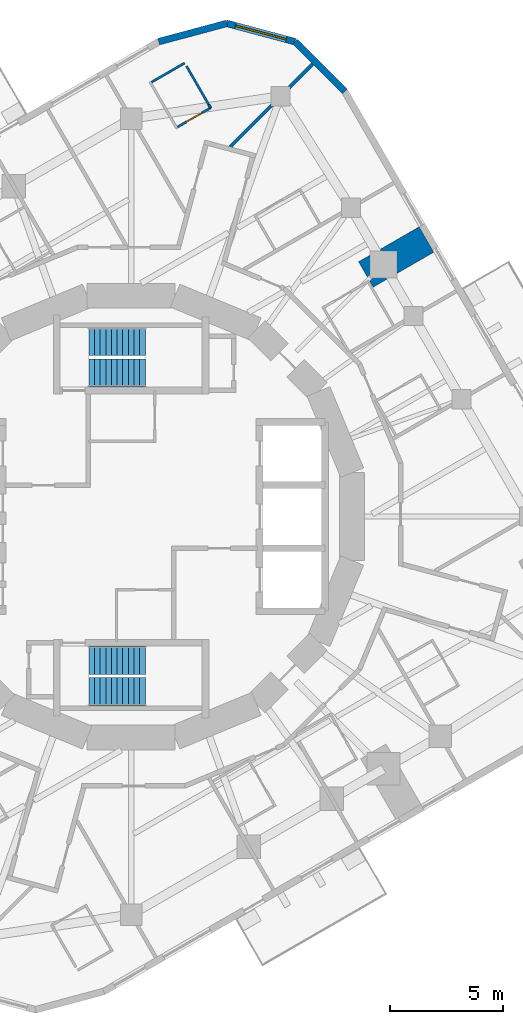
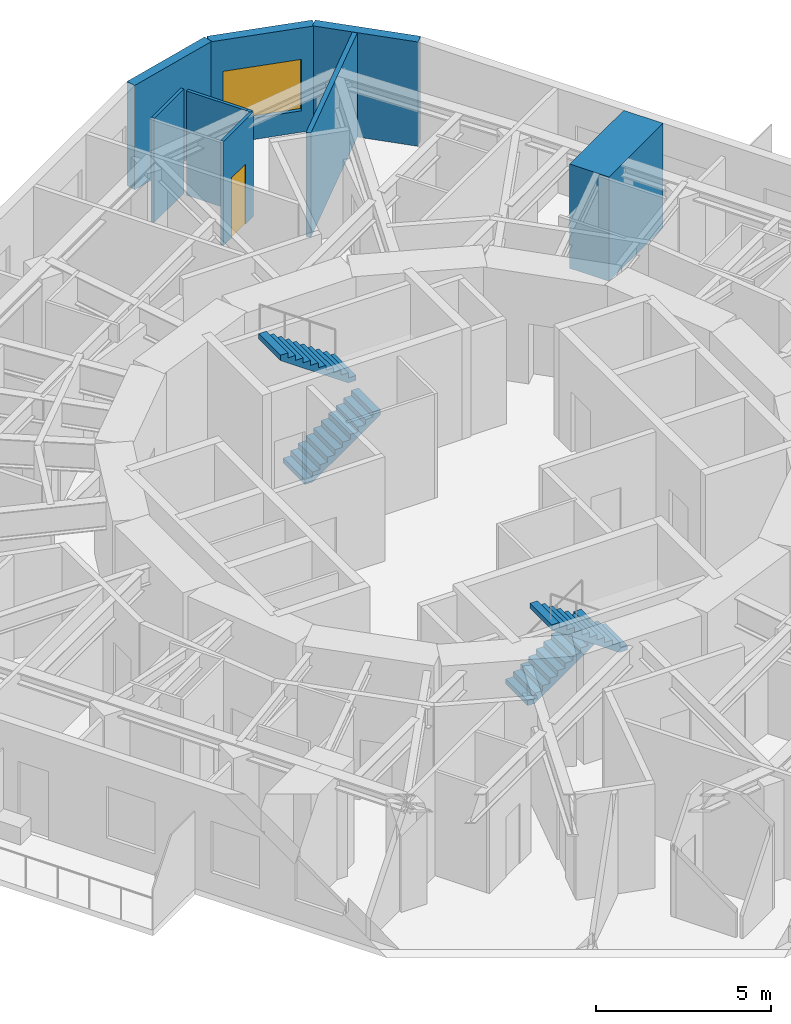
# One storey, part 9 of 11: 9 walls, 4 stair flights, 1 door, 1 window, 2 openings, 2 elements without a shape of their own.
"""IFC4 building model written with IfcOpenShell, lengths in metres."""

from ifc_helpers import new_model, si_unit, direction, frame, frame_2d, origin, place, context, subcontext, project, spatial, polyline, rectangle, outline, extrude, material, layer, layer_set, type_object, element, fill, aggregate, save


model = new_model("IFC4")

# Units and contexts
model_context = context("Model", 3, precision=1e-05, world=origin(), true_north=direction((0.0, 1.0)))
body_context = subcontext(model_context, "Body", "Model", "MODEL_VIEW")
ifc_project = project(units=[si_unit("LENGTHUNIT", "METRE"), si_unit("AREAUNIT", "SQUARE_METRE"), si_unit("VOLUMEUNIT", "CUBIC_METRE"), si_unit("PLANEANGLEUNIT", "RADIAN"), si_unit("MASSUNIT", "GRAM", prefix="KILO")], contexts=[model_context])

# Site, building, storey
site_placement = place(None, origin())
site = spatial("IfcSite", under=ifc_project, at=site_placement, CompositionType="ELEMENT")
building_placement = place(site_placement, origin())
building = spatial("IfcBuilding", under=site, at=building_placement, Name="Nakasero Lantern House", CompositionType="ELEMENT")
storey_placement = place(building_placement, frame((0.0, 0.0, 253.89990234375)))
storey = spatial("IfcBuildingStorey", under=building, at=storey_placement, Name="L62", CompositionType="ELEMENT", Elevation=253.89990234375)

# Walls
ifc_material_1 = material(Name="Blockwork", Category="masonry")
ifc_layer_1 = layer(ifc_material_1, 1.300048828125)
ifc_layer_set_1 = layer_set([ifc_layer_1], Name="Column pier 1300")
wall_type_1 = type_object("IfcWallType", Name="Column pier 1300", PredefinedType="PARTITIONING", material=ifc_layer_set_1)
wall_1_placement = place(storey_placement, frame((10.4208984375, 10.75048828125, 0.0), z_axis=(0.0, 0.0, 1.0), x_axis=(0.866063626216, 0.499933790963, 0.0)))
element("IfcWall", 1, at=wall_1_placement, inside=storey, type_object=wall_type_1, Name="Column pier L62 PN0-05", PredefinedType="PARTITIONING", context=body_context, shape_type="SweptSolid", body=[
    extrude(rectangle(XDim=3.10009765625, YDim=1.300048828125, at=frame_2d((1.550048828125, 0.0))), origin(), (0.0, 0.0, 1.0), 3.650146484375),
])
ifc_material_2 = material(Name="Blockwork", Category="masonry")
ifc_layer_2 = layer(ifc_material_2, 0.10009765625)
ifc_layer_set_2 = layer_set([ifc_layer_2], Name="En-suite wall 100")
wall_type_2 = type_object("IfcWallType", Name="En-suite wall 100", PredefinedType="PARTITIONING", material=ifc_layer_set_2)
wall_2_placement = place(storey_placement, frame((2.37548828125, 20.135498046875, 0.0), z_axis=(0.0, 0.0, 1.0), x_axis=(-0.865989465428, -0.500062241894, 0.0)))
element("IfcWall", 2, at=wall_2_placement, inside=storey, type_object=wall_type_2, Name="En-suite wall L62 EE1-00", PredefinedType="PARTITIONING", context=body_context, shape_type="SweptSolid", body=[
    extrude(rectangle(XDim=1.699951171875, YDim=0.10009765625, at=frame_2d((0.85009765625, 0.0))), origin(), (0.0, 0.0, 1.0), 3.650146484375),
])

# Wall, opening, door
wall_3_placement = place(storey_placement, frame((3.525634765625, 18.1435546875, 0.0), z_axis=(0.0, 0.0, 1.0), x_axis=(-0.866025371046, -0.500000056704, 0.0)))
wall_3 = element("IfcWall", 3, at=wall_3_placement, inside=storey, type_object=wall_type_2, Name="En-suite wall L62 EI1-00", PredefinedType="PARTITIONING", context=body_context, shape_type="SweptSolid", body=[
    extrude(rectangle(XDim=1.7001953125, YDim=0.10009765625, at=frame_2d((0.85009765625, 0.0))), origin(), (0.0, 0.0, 1.0), 3.650146484375),
])
opening_1_placement = place(wall_3_placement, frame((0.449951171875, 0.0, 0.0)))
opening_1 = element("IfcOpeningElement", 4, at=opening_1_placement, cuts=wall_3, Name="Opening D02", PredefinedType="OPENING", context=body_context, shape_type="SweptSolid", body=[
    extrude(rectangle(XDim=0.800048828125, YDim=2.10009765625, at=frame_2d((0.39990234375, 1.050048828125))), frame((0.0, 0.070068359375, 0.0), z_axis=(0.0, -1.0, 0.0), x_axis=(1.0, 0.0, 0.0)), (0.0, 0.0, 1.0), 0.14013671875),
])
ifc_material_3 = material(Name="Timber C24", Category="wood")
door_type = type_object("IfcDoorType", Name="En-suite door 800", OperationType="SINGLE_SWING_RIGHT", PredefinedType="DOOR", material=ifc_material_3)
door_placement = place(opening_1_placement, origin())
door = element("IfcDoor", 5, at=door_placement, inside=storey, type_object=door_type, Name="Door L62 DE1-00", OperationType="SINGLE_SWING_RIGHT", OverallHeight=2.10009765625, OverallWidth=0.800048828125, PredefinedType="DOOR", context=body_context, shape_type="SweptSolid", body=[
    extrude(rectangle(XDim=0.800048828125, YDim=2.10009765625, at=frame_2d((0.39990234375, 1.050048828125))), frame((0.0, 0.02490234375, 0.0), z_axis=(0.0, -1.0, 0.0), x_axis=(1.0, 0.0, 0.0)), (0.0, 0.0, 1.0), 0.050048828125),
])
fill(opening_1, door)

# Walls
wall_4_placement = place(storey_placement, frame((3.445556640625, 18.2822265625, 0.0), z_axis=(0.0, 0.0, 1.0), x_axis=(-0.500024883228, 0.866011036969, 0.0)))
element("IfcWall", 6, at=wall_4_placement, inside=storey, type_object=wall_type_2, Name="En-suite wall L62 EX001", PredefinedType="PARTITIONING", context=body_context, shape_type="SweptSolid", body=[
    extrude(rectangle(XDim=1.97998046875, YDim=0.10009765625, at=frame_2d((0.989990234375, 0.0))), origin(), (0.0, 0.0, 1.0), 3.650146484375),
])
wall_5_placement = place(storey_placement, frame((3.525634765625, 18.1435546875, 0.0), z_axis=(0.0, 0.0, 1.0), x_axis=(-0.500074377092, 0.865982457891, 0.0)))
element("IfcWall", 7, at=wall_5_placement, inside=storey, type_object=wall_type_2, Name="En-suite wall L62 EI1-00R0", PredefinedType="PARTITIONING", context=body_context, shape_type="SweptSolid", body=[
    extrude(rectangle(XDim=0.16015625, YDim=0.10009765625, at=frame_2d((0.080078125, 0.0))), origin(), (0.0, 0.0, 1.0), 3.650146484375),
])
ifc_material_4 = material(Name="Aluminium rainscreen on blockwork", Category="masonry")
ifc_layer_3 = layer(ifc_material_4, 0.300048828125)
ifc_layer_set_3 = layer_set([ifc_layer_3], Name="Facade wall 300")
wall_type_3 = type_object("IfcWallType", Name="Facade wall 300", PredefinedType="SOLIDWALL", material=ifc_layer_set_3)
wall_6_placement = place(storey_placement, frame((9.4853515625, 18.870849609375, 0.0), z_axis=(0.0, 0.0, 1.0), x_axis=(-0.707067801733, 0.707145758492, 0.0)))
element("IfcWall", 8, at=wall_6_placement, inside=storey, type_object=wall_type_3, Name="Facade wall L62 FW0C1", PredefinedType="SOLIDWALL", context=body_context, shape_type="SweptSolid", body=[
    extrude(rectangle(XDim=3.1318359375, YDim=0.300048828125, at=frame_2d((1.56591796875, 0.0))), origin(), (0.0, 0.0, 1.0), 3.650146484375),
])

# Wall, opening, window
wall_7_placement = place(storey_placement, frame((7.27099609375, 21.08544921875, 0.0), z_axis=(0.0, 0.0, 1.0), x_axis=(-0.965928914048, 0.258807521156, 0.0)))
wall_7 = element("IfcWall", 9, at=wall_7_placement, inside=storey, type_object=wall_type_3, Name="Facade wall L62 FW0C2", PredefinedType="SOLIDWALL", context=body_context, shape_type="SweptSolid", body=[
    extrude(rectangle(XDim=3.1318359375, YDim=0.300048828125, at=frame_2d((1.56591796875, 0.0))), origin(), (0.0, 0.0, 1.0), 3.650146484375),
])
opening_2_placement = place(wall_7_placement, frame((0.39990234375, 0.0, 0.75)))
opening_2 = element("IfcOpeningElement", 10, at=opening_2_placement, cuts=wall_7, Name="Opening W223", PredefinedType="OPENING", context=body_context, shape_type="SweptSolid", body=[
    extrude(rectangle(XDim=2.33203125, YDim=1.800048828125, at=frame_2d((1.166015625, 0.89990234375))), frame((0.0, 0.169921875, 0.0), z_axis=(0.0, -1.0, 0.0), x_axis=(1.0, 0.0, 0.0)), (0.0, 0.0, 1.0), 0.340087890625),
])
ifc_material_5 = material(Name="Aluminium 6063-T6 and glass", Category="aluminium")
window_type = type_object("IfcWindowType", Name="Corner window 2332x1800", PartitioningType="SINGLE_PANEL", PredefinedType="WINDOW", material=ifc_material_5)
window_placement = place(opening_2_placement, origin())
window = element("IfcWindow", 11, at=window_placement, inside=storey, type_object=window_type, Name="Window L62 WC0", OverallHeight=1.800048828125, OverallWidth=2.33203125, PartitioningType="SINGLE_PANEL", PredefinedType="WINDOW", context=body_context, shape_type="SweptSolid", body=[
    extrude(rectangle(XDim=2.33203125, YDim=1.800048828125, at=frame_2d((1.166015625, 0.89990234375))), frame((0.0, 0.030029296875, 0.0), z_axis=(0.0, -1.0, 0.0), x_axis=(1.0, 0.0, 0.0)), (0.0, 0.0, 1.0), 0.06005859375),
])
fill(opening_2, window)

# Walls
wall_8_placement = place(storey_placement, frame((4.245849609375, 21.89599609375, 0.0), z_axis=(0.0, 0.0, 1.0), x_axis=(-0.96592369199, -0.258827010283, 0.0)))
element("IfcWall", 12, at=wall_8_placement, inside=storey, type_object=wall_type_3, Name="Facade wall L62 FW0C3", PredefinedType="SOLIDWALL", context=body_context, shape_type="SweptSolid", body=[
    extrude(rectangle(XDim=3.131591796875, YDim=0.300048828125, at=frame_2d((1.56591796875, 0.0))), origin(), (0.0, 0.0, 1.0), 3.650146484375),
])
ifc_material_6 = material(Name="Blockwork", Category="masonry")
ifc_layer_4 = layer(ifc_material_6, 0.14990234375)
ifc_layer_set_4 = layer_set([ifc_layer_4], Name="Party wall 150")
wall_type_4 = type_object("IfcWallType", Name="Party wall 150", PredefinedType="PARTITIONING", material=ifc_layer_set_4)
wall_9_placement = place(storey_placement, frame((4.3984375, 16.414794921875, 0.0), z_axis=(0.0, 0.0, 1.0), x_axis=(0.705549334897, 0.708660804635, 0.0)))
element("IfcWall", 13, at=wall_9_placement, inside=storey, type_object=wall_type_4, Name="Party wall L62 PW1-00", PredefinedType="PARTITIONING", context=body_context, shape_type="SweptSolid", body=[
    extrude(rectangle(XDim=5.1787109375, YDim=0.14990234375, at=frame_2d((2.58935546875, 0.0))), origin(), (0.0, 0.0, 1.0), 3.650146484375),
])

# Stair, stair flights
ifc_material_7 = material(Name="Concrete C40/50", Category="concrete")
stair_type_1 = type_object("IfcStairType", Name="Escape stair ST1 22 risers", PredefinedType="HALF_TURN_STAIR", material=ifc_material_7)
stair_1_placement = place(storey_placement, origin())
stair_1 = element("IfcStair", 14, at=stair_1_placement, inside=storey, type_object=stair_type_1, Name="Escape stair ST1 L62", PredefinedType="HALF_TURN_STAIR")
ifc_material_8 = material(Name="Concrete C40/50", Category="concrete")
stair_flight_type = type_object("IfcStairFlightType", Name="Escape stair flight", PredefinedType="STRAIGHT", material=ifc_material_8)
stair_flight_1_placement = place(storey_placement, frame((-1.875, 6.375, 0.0), z_axis=(0.0, 0.0, 1.0), x_axis=(1.0, 0.0, 0.0)))
stair_flight_1 = element("IfcStairFlight", 15, at=stair_flight_1_placement, type_object=stair_flight_type, Name="ST1 flight 1", NumberOfRisers=11, NumberOfTreads=10, PredefinedType="STRAIGHT", RiserHeight=0.175, TreadLength=0.25, context=body_context, shape_type="SweptSolid", body=[
    extrude(outline(polyline([(0.0, 0.0), (0.0, 0.175048828125), (0.25, 0.175048828125), (0.25, 0.35009765625), (0.5, 0.35009765625), (0.5, 0.52490234375), (0.75, 0.52490234375), (0.75, 0.699951171875), (1.0, 0.699951171875), (1.0, 0.875), (1.25, 0.875), (1.25, 1.050048828125), (1.5, 1.050048828125), (1.5, 1.22509765625), (1.75, 1.22509765625), (1.75, 1.39990234375), (2.0, 1.39990234375), (2.0, 1.574951171875), (2.25, 1.574951171875), (2.25, 1.75), (2.5, 1.75), (2.5, 1.925048828125), (2.5, 1.567138671875), (0.261474609375, 0.0), (0.0, 0.0)])), frame((0.0, 0.625, 0.0), z_axis=(0.0, -1.0, 0.0), x_axis=(1.0, 0.0, 0.0)), (0.0, 0.0, 1.0), 1.25),
])
stair_flight_2_placement = place(storey_placement, frame((0.625, 7.77490234375, 1.925048828125), z_axis=(0.0, 0.0, 1.0), x_axis=(-1.0, 0.0, 0.0)))
stair_flight_2 = element("IfcStairFlight", 16, at=stair_flight_2_placement, type_object=stair_flight_type, Name="ST1 flight 2", NumberOfRisers=11, NumberOfTreads=10, PredefinedType="STRAIGHT", RiserHeight=0.175, TreadLength=0.25, context=body_context, shape_type="SweptSolid", body=[
    extrude(outline(polyline([(0.0, 0.0), (0.0, 0.175048828125), (0.25, 0.175048828125), (0.25, 0.35009765625), (0.5, 0.35009765625), (0.5, 0.52490234375), (0.75, 0.52490234375), (0.75, 0.699951171875), (1.0, 0.699951171875), (1.0, 0.875), (1.25, 0.875), (1.25, 1.050048828125), (1.5, 1.050048828125), (1.5, 1.22509765625), (1.75, 1.22509765625), (1.75, 1.39990234375), (2.0, 1.39990234375), (2.0, 1.574951171875), (2.25, 1.574951171875), (2.25, 1.75), (2.5, 1.75), (2.5, 1.925048828125), (2.5, 1.567138671875), (0.261474609375, 0.0), (0.0, 0.0)])), frame((0.0, 0.625, 0.0), z_axis=(0.0, -1.0, 0.0), x_axis=(1.0, 0.0, 0.0)), (0.0, 0.0, 1.0), 1.25),
])
aggregate(stair_1, [stair_flight_1, stair_flight_2])

ifc_material_9 = material(Name="Concrete C40/50", Category="concrete")
stair_type_2 = type_object("IfcStairType", Name="Escape stair ST2 22 risers", PredefinedType="HALF_TURN_STAIR", material=ifc_material_9)
stair_2_placement = place(storey_placement, origin())
stair_2 = element("IfcStair", 17, at=stair_2_placement, inside=storey, type_object=stair_type_2, Name="Escape stair ST2 L62", PredefinedType="HALF_TURN_STAIR")
stair_flight_3_placement = place(storey_placement, frame((-1.875, -6.375, 0.0), z_axis=(0.0, 0.0, 1.0), x_axis=(1.0, 0.0, 0.0)))
stair_flight_3 = element("IfcStairFlight", 18, at=stair_flight_3_placement, type_object=stair_flight_type, Name="ST2 flight 1", NumberOfRisers=11, NumberOfTreads=10, PredefinedType="STRAIGHT", RiserHeight=0.175, TreadLength=0.25, context=body_context, shape_type="SweptSolid", body=[
    extrude(outline(polyline([(0.0, 0.0), (0.0, 0.175048828125), (0.25, 0.175048828125), (0.25, 0.35009765625), (0.5, 0.35009765625), (0.5, 0.52490234375), (0.75, 0.52490234375), (0.75, 0.699951171875), (1.0, 0.699951171875), (1.0, 0.875), (1.25, 0.875), (1.25, 1.050048828125), (1.5, 1.050048828125), (1.5, 1.22509765625), (1.75, 1.22509765625), (1.75, 1.39990234375), (2.0, 1.39990234375), (2.0, 1.574951171875), (2.25, 1.574951171875), (2.25, 1.75), (2.5, 1.75), (2.5, 1.925048828125), (2.5, 1.567138671875), (0.261474609375, 0.0), (0.0, 0.0)])), frame((0.0, 0.625, 0.0), z_axis=(0.0, -1.0, 0.0), x_axis=(1.0, 0.0, 0.0)), (0.0, 0.0, 1.0), 1.25),
])
stair_flight_4_placement = place(storey_placement, frame((0.625, -7.77490234375, 1.925048828125), z_axis=(0.0, 0.0, 1.0), x_axis=(-1.0, 0.0, 0.0)))
stair_flight_4 = element("IfcStairFlight", 19, at=stair_flight_4_placement, type_object=stair_flight_type, Name="ST2 flight 2", NumberOfRisers=11, NumberOfTreads=10, PredefinedType="STRAIGHT", RiserHeight=0.175, TreadLength=0.25, context=body_context, shape_type="SweptSolid", body=[
    extrude(outline(polyline([(0.0, 0.0), (0.0, 0.175048828125), (0.25, 0.175048828125), (0.25, 0.35009765625), (0.5, 0.35009765625), (0.5, 0.52490234375), (0.75, 0.52490234375), (0.75, 0.699951171875), (1.0, 0.699951171875), (1.0, 0.875), (1.25, 0.875), (1.25, 1.050048828125), (1.5, 1.050048828125), (1.5, 1.22509765625), (1.75, 1.22509765625), (1.75, 1.39990234375), (2.0, 1.39990234375), (2.0, 1.574951171875), (2.25, 1.574951171875), (2.25, 1.75), (2.5, 1.75), (2.5, 1.925048828125), (2.5, 1.567138671875), (0.261474609375, 0.0), (0.0, 0.0)])), frame((0.0, 0.625, 0.0), z_axis=(0.0, -1.0, 0.0), x_axis=(1.0, 0.0, 0.0)), (0.0, 0.0, 1.0), 1.25),
])
aggregate(stair_2, [stair_flight_3, stair_flight_4])

save(model, "model.ifc")
